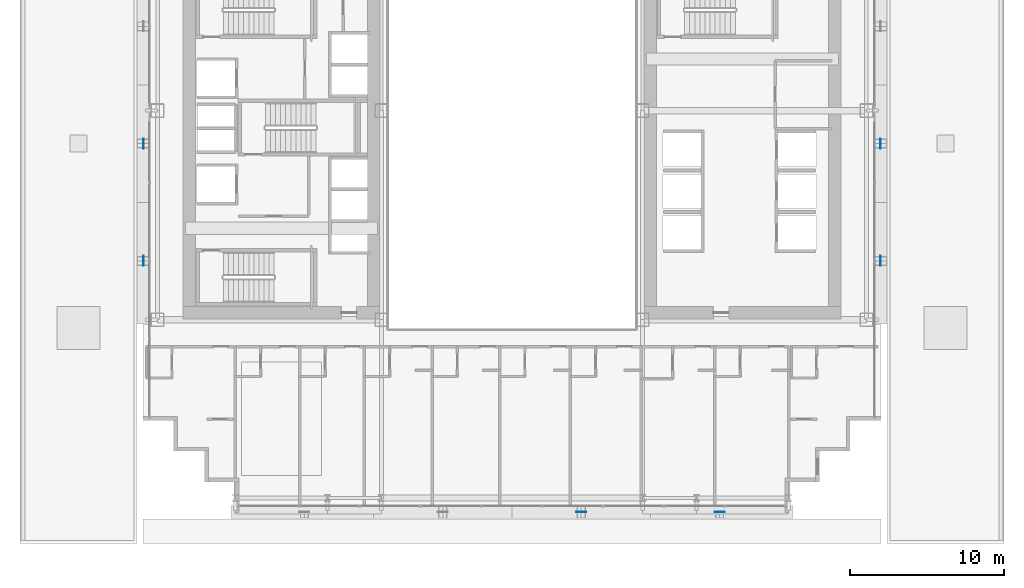
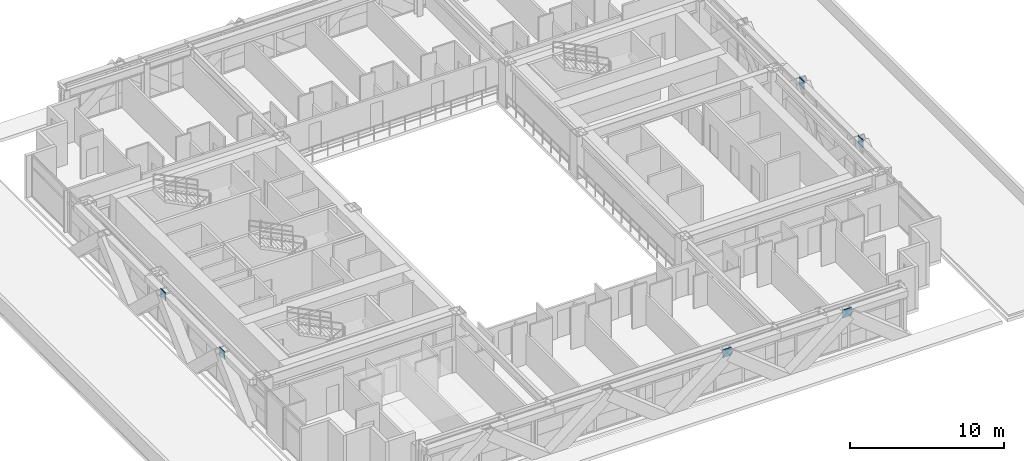
# One storey, part 24 of 35: 6 plates.
"""IFC4 building model written with IfcOpenShell, lengths in metres."""

from ifc_helpers import new_model, si_unit, direction, frame, origin, origin_2d, place, context, subcontext, project, spatial, rectangle, extrude, source, transform, mapped, material, layer, layer_set, type_object, element, save


model = new_model("IFC4")

# Units and contexts
model_context = context("Model", 3, precision=1e-05, world=origin(), true_north=direction((0.0, 1.0)))
body_context = subcontext(model_context, "Body", "Model", "MODEL_VIEW")
ifc_project = project(units=[si_unit("LENGTHUNIT", "METRE"), si_unit("AREAUNIT", "SQUARE_METRE"), si_unit("VOLUMEUNIT", "CUBIC_METRE"), si_unit("PLANEANGLEUNIT", "RADIAN"), si_unit("MASSUNIT", "GRAM", prefix="KILO")], contexts=[model_context])

# Site, building, storey
site_placement = place(None, origin())
site = spatial("IfcSite", under=ifc_project, at=site_placement, CompositionType="ELEMENT")
building_placement = place(site_placement, origin())
building = spatial("IfcBuilding", under=site, at=building_placement, Name="Ocotamira Hotel", CompositionType="ELEMENT")
storey_placement = place(building_placement, frame((0.0, 0.0, 34.800048828125)))
storey = spatial("IfcBuildingStorey", under=building, at=storey_placement, Name="L07", CompositionType="ELEMENT", Elevation=34.800048828125)

# Plates
ifc_material = material(Name="Pale-metal coated steel ASTM A572 Grade 50", Category="steel")
ifc_layer = layer(ifc_material, 0.0400390625)
ifc_layer_set = layer_set([ifc_layer], Name="Pale-metal coated steel ASTM A572 Grade 50")
plate_type = type_object("IfcPlateType", Name="PLT-GUSSET-40", PredefinedType="SHEET", material=ifc_layer_set)
shared_shape_1 = source(origin(), body_context, "Body", "SweptSolid", [
    extrude(rectangle(XDim=0.64990234375, YDim=0.0400390625, at=origin_2d()), origin(), (0.0, 0.0, 1.0), 0.64990234375),
])
for number, where, z_axis, x_axis, name in (
    (1, (36.5, 2.030029296875, 2.77490234375), (0.0, 0.0, 1.0), (1.0, 0.0, 0.0), "L07 Exoskeleton Diagrid S2.1 End Gusset B"),
    (2, (45.5, 2.030029296875, 2.77490234375), (0.0, 0.0, 1.0), (1.0, 0.0, 0.0), "L07 Exoskeleton Diagrid S3.1 End Gusset B"),
):
    element("IfcPlate", number, at=place(storey_placement, frame(where, z_axis=z_axis, x_axis=x_axis)), inside=storey, type_object=plate_type, Name=name, PredefinedType="SHEET", context=body_context, shape_type="MappedRepresentation", body=[
        mapped(shared_shape_1, transform((0.0, 0.0, 0.0), scale=1.0)),
    ])
shared_shape_2 = source(origin(), body_context, "Body", "SweptSolid", [
    extrude(rectangle(XDim=0.0400390625, YDim=0.64990234375, at=origin_2d()), origin(), (0.0, 0.0, 1.0), 0.64990234375),
])
for number, where, z_axis, x_axis, name in (
    (3, (8.030029296875, 18.36669921875, 2.77490234375), (0.0, 0.0, 1.0), (1.0, 0.0, 0.0), "L07 Exoskeleton Diagrid W0.1 End Gusset B"),
    (4, (8.030029296875, 26.0, 2.77490234375), (0.0, 0.0, 1.0), (1.0, 0.0, 0.0), "L07 Exoskeleton Diagrid W1.1 End Gusset B"),
    (5, (55.969970703125, 18.36669921875, 2.77490234375), (0.0, 0.0, 1.0), (1.0, 0.0, 0.0), "L07 Exoskeleton Diagrid E0.1 End Gusset B"),
    (6, (55.969970703125, 26.0, 2.77490234375), (0.0, 0.0, 1.0), (1.0, 0.0, 0.0), "L07 Exoskeleton Diagrid E1.1 End Gusset B"),
):
    element("IfcPlate", number, at=place(storey_placement, frame(where, z_axis=z_axis, x_axis=x_axis)), inside=storey, type_object=plate_type, Name=name, PredefinedType="SHEET", context=body_context, shape_type="MappedRepresentation", body=[
        mapped(shared_shape_2, transform((0.0, 0.0, 0.0), scale=1.0)),
    ])

save(model, "model.ifc")
